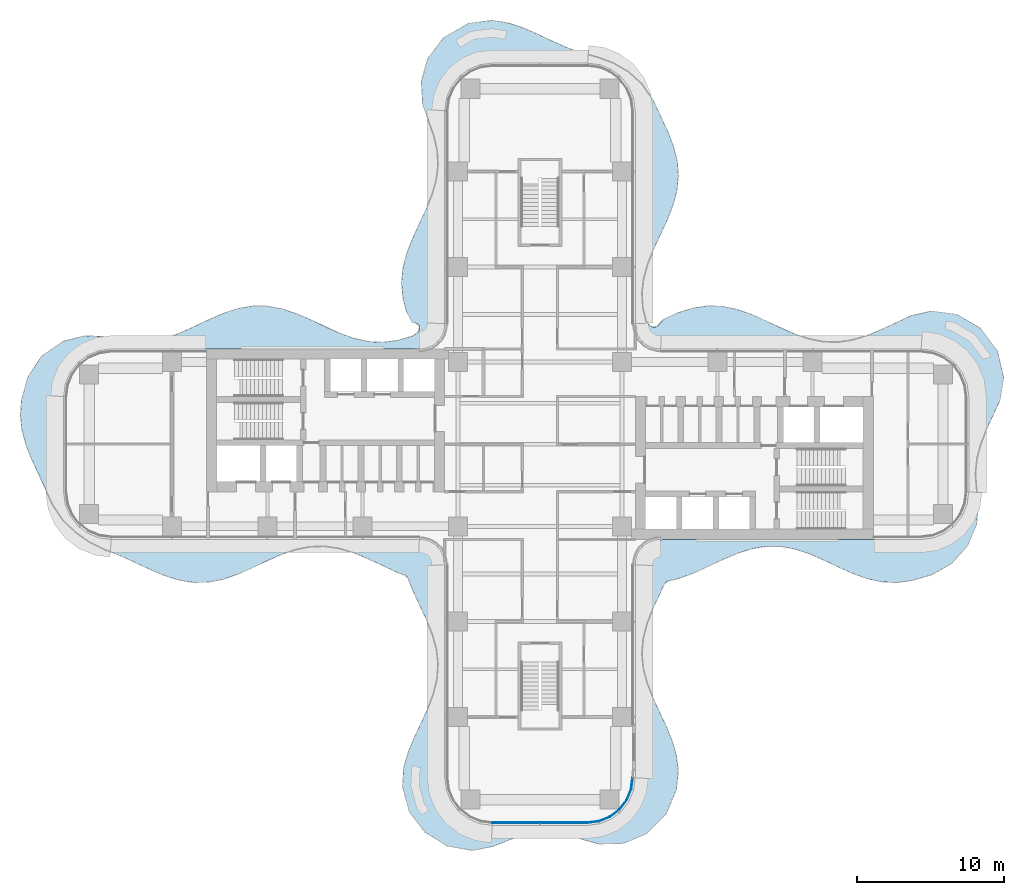
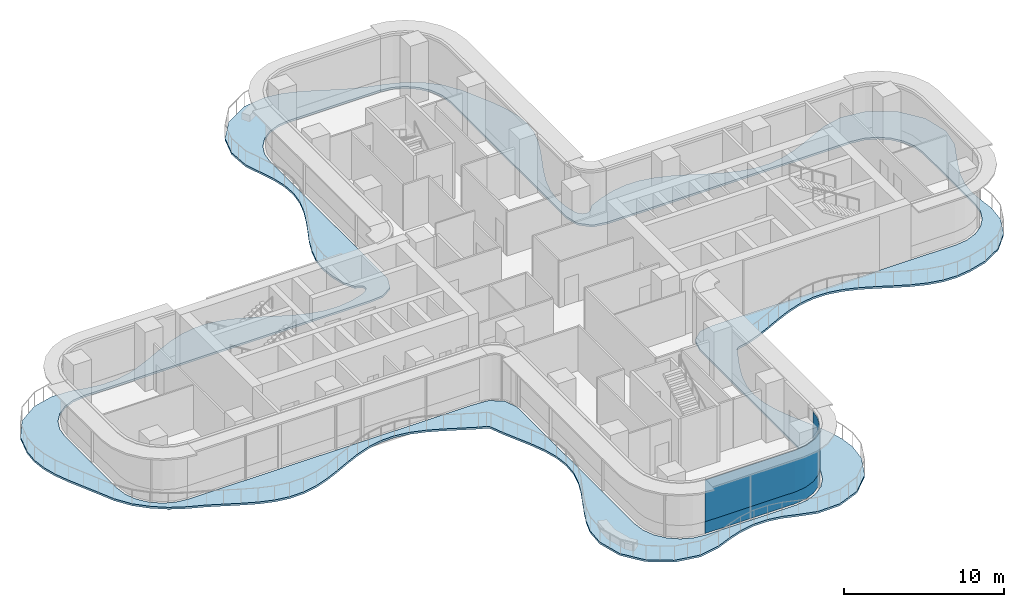
# One storey, part 13 of 21: 2 plates, 1 slab, 1 element without a shape of its own.
"""IFC4 building model written with IfcOpenShell, lengths in metres."""

from ifc_helpers import new_model, si_unit, direction, frame, origin, place, context, subcontext, project, spatial, polyline, outline, extrude, source, transform, mapped, material, layer, layer_set, type_object, element, aggregate, save


model = new_model("IFC4")

# Units and contexts
model_context = context("Model", 3, precision=1e-05, world=origin(), true_north=direction((0.0, 1.0)))
body_context = subcontext(model_context, "Body", "Model", "MODEL_VIEW")
ifc_project = project(units=[si_unit("LENGTHUNIT", "METRE"), si_unit("AREAUNIT", "SQUARE_METRE"), si_unit("VOLUMEUNIT", "CUBIC_METRE"), si_unit("PLANEANGLEUNIT", "RADIAN"), si_unit("MASSUNIT", "GRAM", prefix="KILO")], contexts=[model_context])

# Site, building, storey
site_placement = place(None, origin())
site = spatial("IfcSite", under=ifc_project, at=site_placement, CompositionType="ELEMENT")
building_placement = place(site_placement, origin())
building = spatial("IfcBuilding", under=site, at=building_placement, Name="Trellis Farm Tower", CompositionType="ELEMENT")
storey_placement = place(building_placement, frame((0.0, 0.0, 138.0)))
storey = spatial("IfcBuildingStorey", under=building, at=storey_placement, Name="L29", CompositionType="ELEMENT", Elevation=138.0)

# Slab
ifc_material_1 = material(Name="Concrete C40/50", Category="concrete")
ifc_layer_1 = layer(ifc_material_1, 0.14990234375)
ifc_layer_set_1 = layer_set([ifc_layer_1], Name="Balcony slab 150")
slab_type = type_object("IfcSlabType", Name="Balcony slab 150", PredefinedType="FLOOR", material=ifc_layer_set_1)
slab_placement = place(storey_placement, frame((0.0, 0.0, -0.14990234375)))
element("IfcSlab", 1, at=slab_placement, inside=storey, type_object=slab_type, Name="Balcony slab", PredefinedType="FLOOR", context=body_context, shape_type="SweptSolid", body=[
    extrude(outline(polyline([(-9.220947265625, -8.94482421875), (-9.6787109375, -8.7734375), (-9.689208984375, -8.76904296875), (-11.664306640625, -7.850830078125), (-11.66650390625, -7.849609375), (-12.649658203125, -7.43408203125), (-12.65673828125, -7.431396484375), (-13.68603515625, -7.11376953125), (-13.697265625, -7.111083984375), (-14.687255859375, -6.9638671875), (-14.700439453125, -6.963134765625), (-15.682861328125, -6.9921875), (-15.695556640625, -6.99365234375), (-16.674072265625, -7.1923828125), (-16.68359375, -7.195068359375), (-17.663818359375, -7.535400390625), (-17.66943359375, -7.53759765625), (-18.653564453125, -7.973388671875), (-18.655517578125, -7.974365234375), (-19.6474609375, -8.4462890625), (-19.6513671875, -8.447998046875), (-20.631103515625, -8.87939453125), (-20.64306640625, -8.8837890625), (-21.61962890625, -9.218017578125), (-21.639404296875, -9.22314453125), (-22.60986328125, -9.412353515625), (-22.635986328125, -9.4150390625), (-23.63623046875, -9.4326171875), (-23.6630859375, -9.4306640625), (-24.6328125, -9.272705078125), (-24.654052734375, -9.267578125), (-25.629150390625, -8.95849609375), (-25.642578125, -8.95361328125), (-26.6259765625, -8.534912109375), (-26.63037109375, -8.53271484375), (-28.607421875, -7.614990234375), (-28.61181640625, -7.613037109375), (-29.7099609375, -7.186767578125), (-29.72265625, -7.18115234375), (-30.7626953125, -6.66259765625), (-30.782470703125, -6.65087890625), (-31.69384765625, -6.00390625), (-31.711181640625, -5.989501953125), (-32.532470703125, -5.1953125), (-32.55224609375, -5.171630859375), (-33.2392578125, -4.158935546875), (-33.251953125, -4.135986328125), (-33.7607421875, -3.0), (-33.76123046875, -2.999267578125), (-34.68701171875, -1.005615234375), (-34.6904296875, -0.997314453125), (-35.083251953125, 0.001708984375), (-35.088623046875, 0.01806640625), (-35.3427734375, 0.9716796875), (-35.34716796875, 0.9951171875), (-35.44677734375, 1.96484375), (-35.447021484375, 1.991455078125), (-35.372314453125, 2.986083984375), (-35.367431640625, 3.013671875), (-34.95703125, 4.5361328125), (-34.9375, 4.57958984375), (-33.99072265625, 6.016357421875), (-33.972412109375, 6.0390625), (-33.9462890625, 6.065673828125), (-33.92333984375, 6.084716796875), (-32.546630859375, 7.012939453125), (-32.49951171875, 7.033935546875), (-31.0634765625, 7.39794921875), (-31.01953125, 7.40234375), (-29.757080078125, 7.34326171875), (-29.732177734375, 7.33984375), (-28.634521484375, 7.1015625), (-28.62890625, 7.1005859375), (-27.65966796875, 6.962890625), (-27.646240234375, 6.962158203125), (-26.602294921875, 7.001708984375), (-26.58935546875, 7.00341796875), (-25.611083984375, 7.214111328125), (-25.601806640625, 7.216796875), (-24.647216796875, 7.55615234375), (-24.6416015625, 7.558349609375), (-23.638916015625, 8.006103515625), (-23.63720703125, 8.0068359375), (-22.63720703125, 8.482177734375), (-22.632568359375, 8.484130859375), (-21.639404296875, 8.9150390625), (-21.626953125, 8.919921875), (-20.66552734375, 9.238525390625), (-20.645263671875, 9.24365234375), (-19.67529296875, 9.42041015625), (-19.648681640625, 9.4228515625), (-18.648193359375, 9.42626953125), (-18.621826171875, 9.424072265625), (-17.65185546875, 9.253662109375), (-17.631103515625, 9.248291015625), (-16.655517578125, 8.92919921875), (-16.642578125, 8.92431640625), (-15.664794921875, 8.502197265625), (-15.659912109375, 8.5), (-14.66015625, 8.025146484375), (-14.65869140625, 8.0244140625), (-13.65576171875, 7.57421875), (-13.650390625, 7.572021484375), (-12.695068359375, 7.22802734375), (-12.685791015625, 7.225341796875), (-11.70751953125, 7.008544921875), (-11.69482421875, 7.0068359375), (-10.71337890625, 6.95751953125), (-10.699951171875, 6.9580078125), (-9.710693359375, 7.085205078125), (-9.699462890625, 7.087646484375), (-8.7451171875, 7.364501953125), (-8.733154296875, 7.369384765625), (-8.638671875, 7.41552734375), (-8.627685546875, 7.422119140625), (-8.344970703125, 7.62646484375), (-8.32958984375, 7.641357421875), (-8.227783203125, 7.7734375), (-8.212646484375, 7.8125), (-8.200439453125, 7.968017578125), (-8.209228515625, 8.0087890625), (-8.283935546875, 8.145751953125), (-8.313720703125, 8.17529296875), (-8.460693359375, 8.254150390625), (-8.48095703125, 8.261474609375), (-8.650146484375, 8.29638671875), (-8.70947265625, 8.322998046875), (-8.711181640625, 8.324462890625), (-8.754150390625, 8.374267578125), (-9.106201171875, 9.034912109375), (-9.119384765625, 9.068359375), (-9.35693359375, 10.001220703125), (-9.361083984375, 10.02490234375), (-9.447509765625, 10.994384765625), (-9.447509765625, 11.021240234375), (-9.35888671875, 11.994140625), (-9.35498046875, 12.018310546875), (-9.1015625, 12.998779296875), (-9.09619140625, 13.015625), (-8.711669921875, 14.00439453125), (-8.707763671875, 14.013671875), (-7.781982421875, 15.998046875), (-7.780517578125, 16.00146484375), (-7.365966796875, 17.018798828125), (-7.36328125, 17.026611328125), (-7.07958984375, 18.02294921875), (-7.0771484375, 18.0341796875), (-6.95654296875, 19.023193359375), (-6.9560546875, 19.03662109375), (-7.01220703125, 20.01806640625), (-7.013916015625, 20.0302734375), (-7.22412109375, 20.9658203125), (-7.2265625, 20.974365234375), (-7.997802734375, 23.167724609375), (-8.005859375, 23.20849609375), (-8.09716796875, 24.7216796875), (-8.092041015625, 24.770263671875), (-7.69287109375, 26.239501953125), (-7.6826171875, 26.2666015625), (-7.666015625, 26.300048828125), (-7.650634765625, 26.32470703125), (-6.592041015625, 27.71044921875), (-6.57177734375, 27.732177734375), (-6.542724609375, 27.757568359375), (-6.5185546875, 27.77490234375), (-4.93359375, 28.68359375), (-4.906494140625, 28.695556640625), (-4.870361328125, 28.707763671875), (-4.841796875, 28.71435546875), (-3.275634765625, 28.913818359375), (-3.232666015625, 28.9130859375), (-2.122314453125, 28.73291015625), (-2.098388671875, 28.72705078125), (-1.125732421875, 28.399169921875), (-1.113525390625, 28.39453125), (-0.134521484375, 27.966064453125), (-0.130126953125, 27.964111328125), (0.870361328125, 27.488525390625), (0.8720703125, 27.48779296875), (1.874755859375, 27.04248046875), (1.88037109375, 27.040283203125), (2.87060546875, 26.69384765625), (2.87548828125, 26.6923828125), (3.929931640625, 26.40478515625), (3.942626953125, 26.400634765625), (4.977783203125, 26.016357421875), (5.00048828125, 26.005859375), (6.02197265625, 25.41748046875), (6.04736328125, 25.39892578125), (6.940673828125, 24.595458984375), (6.964111328125, 24.568603515625), (7.73876953125, 23.436279296875), (7.7509765625, 23.414794921875), (8.752685546875, 21.26220703125), (8.757080078125, 21.251953125), (9.127197265625, 20.2734375), (9.132568359375, 20.255859375), (9.3701171875, 19.283935546875), (9.373779296875, 19.259521484375), (9.447021484375, 18.290283203125), (9.446533203125, 18.26318359375), (9.33984375, 17.2626953125), (9.335205078125, 17.239013671875), (9.0693359375, 16.26611328125), (9.06396484375, 16.250244140625), (8.673583984375, 15.27001953125), (8.670166015625, 15.261962890625), (7.747802734375, 13.287353515625), (7.746337890625, 13.28369140625), (7.351318359375, 12.3017578125), (7.3486328125, 12.293701171875), (7.063720703125, 11.26123046875), (7.0615234375, 11.249755859375), (6.9560546875, 10.323974609375), (6.95556640625, 10.310791015625), (7.01513671875, 9.32568359375), (7.01708984375, 9.31298828125), (7.2255859375, 8.428955078125), (7.23388671875, 8.408203125), (7.326416015625, 8.251708984375), (7.340087890625, 8.234619140625), (7.517578125, 8.072021484375), (7.537353515625, 8.05908203125), (7.703857421875, 7.98388671875), (7.749267578125, 7.97900390625), (7.927978515625, 8.017333984375), (7.949951171875, 8.02587890625), (8.03515625, 8.07568359375), (8.04638671875, 8.083740234375), (8.133544921875, 8.159423828125), (8.143310546875, 8.169677734375), (8.408203125, 8.50439453125), (8.434326171875, 8.5302734375), (8.471435546875, 8.55859375), (8.50341796875, 8.577392578125), (9.420654296875, 8.973876953125), (9.435546875, 8.9794921875), (10.392822265625, 9.27685546875), (10.414306640625, 9.281982421875), (11.38427734375, 9.433349609375), (11.41064453125, 9.435302734375), (12.381591796875, 9.414306640625), (12.4072265625, 9.411376953125), (13.384521484375, 9.21875), (13.404541015625, 9.21337890625), (14.390380859375, 8.873779296875), (14.402099609375, 8.869384765625), (15.39599609375, 8.429931640625), (15.39990234375, 8.42822265625), (16.400634765625, 7.952392578125), (16.402587890625, 7.951416015625), (17.377197265625, 7.5224609375), (17.383056640625, 7.52001953125), (18.363037109375, 7.184326171875), (18.372802734375, 7.181640625), (19.351318359375, 6.9892578125), (19.364013671875, 6.98779296875), (20.3466796875, 6.965576171875), (20.360107421875, 6.96630859375), (21.350341796875, 7.120361328125), (21.361328125, 7.122802734375), (22.3583984375, 7.43408203125), (22.365478515625, 7.4365234375), (23.38037109375, 7.8671875), (23.382568359375, 7.8681640625), (25.337646484375, 8.77587890625), (25.367919921875, 8.7861328125), (26.66650390625, 9.078125), (26.69287109375, 9.081787109375), (26.726806640625, 9.0830078125), (26.7529296875, 9.08203125), (28.372314453125, 8.867431640625), (28.40087890625, 8.860595703125), (28.437255859375, 8.848388671875), (28.46435546875, 8.8359375), (30.0146484375, 7.93310546875), (30.0390625, 7.91552734375), (30.068115234375, 7.8896484375), (30.08837890625, 7.867431640625), (31.18505859375, 6.39990234375), (31.200927734375, 6.373291015625), (31.218017578125, 6.3369140625), (31.22802734375, 6.307373046875), (31.62939453125, 4.567138671875), (31.633056640625, 4.5380859375), (31.63427734375, 4.50048828125), (31.632080078125, 4.470703125), (31.38330078125, 3.0078125), (31.37158203125, 2.97021484375), (30.4560546875, 0.989013671875), (30.454345703125, 0.985107421875), (30.0751953125, 0.022705078125), (30.072509765625, 0.0146484375), (29.809326171875, -0.9638671875), (29.80712890625, -0.975830078125), (29.70361328125, -2.0185546875), (29.703369140625, -2.03173828125), (29.779296875, -2.987548828125), (29.779541015625, -2.989990234375), (29.91064453125, -4.148681640625), (29.910888671875, -4.1796875), (29.790283203125, -5.450927734375), (29.779296875, -5.4951171875), (29.1884765625, -6.892578125), (29.162109375, -6.93408203125), (28.106201171875, -8.11767578125), (28.068603515625, -8.148193359375), (26.7236328125, -8.913818359375), (26.690185546875, -8.927978515625), (25.3896484375, -9.2958984375), (25.369873046875, -9.30029296875), (24.400634765625, -9.4384765625), (24.3740234375, -9.439697265625), (23.40283203125, -9.4052734375), (23.37744140625, -9.402099609375), (22.3994140625, -9.197021484375), (22.380126953125, -9.191650390625), (21.3935546875, -8.842529296875), (21.38232421875, -8.838134765625), (20.387939453125, -8.393310546875), (20.384765625, -8.39208984375), (19.38330078125, -7.916259765625), (19.381103515625, -7.915283203125), (18.408203125, -7.4921875), (18.402099609375, -7.489990234375), (17.42236328125, -7.163818359375), (17.412353515625, -7.1611328125), (16.43359375, -6.981201171875), (16.420654296875, -6.97998046875), (15.4375, -6.97119140625), (15.424560546875, -6.97216796875), (14.433349609375, -7.13916015625), (14.4228515625, -7.141845703125), (13.425048828125, -7.463623046875), (13.41845703125, -7.466064453125), (12.41650390625, -7.897216796875), (12.4140625, -7.898193359375), (11.415771484375, -8.372314453125), (11.412841796875, -8.37353515625), (10.42724609375, -8.817138671875), (10.41650390625, -8.821533203125), (9.437744140625, -9.174560546875), (9.420166015625, -9.1796875), (8.740234375, -9.334716796875), (8.724365234375, -9.34033203125), (8.60546875, -9.397705078125), (8.57958984375, -9.418701171875), (8.497802734375, -9.522216796875), (8.489013671875, -9.536865234375), (7.68115234375, -11.2705078125), (7.67919921875, -11.275146484375), (7.2998046875, -12.256103515625), (7.296875, -12.264892578125), (7.03564453125, -13.299072265625), (7.03369140625, -13.311279296875), (6.95361328125, -14.29833984375), (6.95361328125, -14.311767578125), (7.050048828125, -15.2919921875), (7.052001953125, -15.3037109375), (7.3095703125, -16.2822265625), (7.312255859375, -16.290283203125), (7.69580078125, -17.271728515625), (7.69775390625, -17.276123046875), (8.619384765625, -19.25048828125), (8.622314453125, -19.257080078125), (9.02392578125, -20.23876953125), (9.029296875, -20.253662109375), (9.3115234375, -21.227294921875), (9.31640625, -21.25048828125), (9.441650390625, -22.25146484375), (9.442138671875, -22.285400390625), (9.3095703125, -23.56884765625), (9.298095703125, -23.613037109375), (8.584716796875, -25.264404296875), (8.5703125, -25.2900390625), (8.54931640625, -25.3203125), (8.531005859375, -25.34228515625), (7.287841796875, -26.5595703125), (7.264892578125, -26.577880859375), (7.2333984375, -26.598388671875), (7.20751953125, -26.612060546875), (5.693359375, -27.226318359375), (5.667724609375, -27.23388671875), (5.6337890625, -27.2412109375), (5.606689453125, -27.244140625), (4.065185546875, -27.27880859375), (4.02197265625, -27.2734375), (2.867431640625, -26.956787109375), (2.86181640625, -26.955078125), (1.843994140625, -26.632080078125), (1.833740234375, -26.629638671875), (0.904052734375, -26.473876953125), (0.891357421875, -26.472900390625), (-0.092529296875, -26.477783203125), (-0.105712890625, -26.47900390625), (-1.14453125, -26.67138671875), (-1.15478515625, -26.674072265625), (-2.132080078125, -27.003662109375), (-2.13671875, -27.00537109375), (-3.177001953125, -27.432861328125), (-3.20458984375, -27.441162109375), (-4.571533203125, -27.713623046875), (-4.599609375, -27.716552734375), (-4.636474609375, -27.716796875), (-4.66455078125, -27.71435546875), (-6.2841796875, -27.418212890625), (-6.311279296875, -27.41064453125), (-6.345458984375, -27.3974609375), (-6.37060546875, -27.385009765625), (-7.845947265625, -26.468017578125), (-7.867919921875, -26.451416015625), (-7.894287109375, -26.427001953125), (-7.9130859375, -26.40673828125), (-8.900390625, -25.09814453125), (-8.91552734375, -25.073486328125), (-8.93212890625, -25.039794921875), (-8.942138671875, -25.0126953125), (-9.375732421875, -23.37890625), (-9.38037109375, -23.33056640625), (-9.295654296875, -22.02587890625), (-9.28955078125, -21.9921875), (-8.9873046875, -20.99169921875), (-8.982177734375, -20.976806640625), (-8.570068359375, -19.994384765625), (-8.567626953125, -19.9892578125), (-7.6484375, -18.014892578125), (-7.646484375, -18.010009765625), (-7.27490234375, -17.029296875), (-7.272216796875, -17.020263671875), (-7.02294921875, -15.985107421875), (-7.02099609375, -15.97265625), (-6.95458984375, -14.986328125), (-6.955078125, -14.972900390625), (-7.064453125, -13.9931640625), (-7.066650390625, -13.981689453125), (-7.33544921875, -13.0029296875), (-7.337890625, -12.9951171875), (-7.7294921875, -12.01318359375), (-7.731201171875, -12.00927734375), (-8.6533203125, -10.034912109375), (-8.656494140625, -10.02734375), (-9.00830078125, -9.152099609375), (-9.015625, -9.138427734375), (-9.0830078125, -9.0380859375), (-9.104736328125, -9.0166015625), (-9.20703125, -8.951904296875), (-9.220947265625, -8.94482421875)]), holes=[polyline([(-7.642578125, -6.6201171875), (-6.938232421875, -7.076171875), (-6.903564453125, -7.107177734375), (-6.8671875, -7.151611328125), (-6.84375, -7.191650390625), (-6.529541015625, -7.9912109375), (-6.52197265625, -8.01708984375), (-6.51513671875, -8.0517578125), (-6.512451171875, -8.07861328125), (-6.50048828125, -8.98486328125), (-6.50048828125, -22.75), (-6.389892578125, -23.59130859375), (-6.065185546875, -24.375244140625), (-5.548583984375, -25.048583984375), (-4.875244140625, -25.565185546875), (-4.09130859375, -25.889892578125), (-3.25, -26.00048828125), (3.25, -26.00048828125), (4.09130859375, -25.889892578125), (4.875244140625, -25.565185546875), (5.548583984375, -25.048583984375), (6.065185546875, -24.375244140625), (6.389892578125, -23.59130859375), (6.50048828125, -22.75), (6.50048828125, -8.326416015625), (6.504150390625, -8.29638671875), (6.718017578125, -7.40869140625), (6.734375, -7.367919921875), (6.761474609375, -7.32177734375), (6.78857421875, -7.2880859375), (7.39697265625, -6.719970703125), (7.432373046875, -6.6953125), (7.48046875, -6.67138671875), (7.521728515625, -6.657958984375), (8.4248046875, -6.502197265625), (8.443115234375, -6.50048828125), (26.0, -6.50048828125), (26.84130859375, -6.389892578125), (27.625244140625, -6.065185546875), (28.298583984375, -5.548583984375), (28.815185546875, -4.875244140625), (29.139892578125, -4.09130859375), (29.25048828125, -3.25), (29.25048828125, 3.25), (29.139892578125, 4.09130859375), (28.815185546875, 4.875244140625), (28.298583984375, 5.548583984375), (27.625244140625, 6.065185546875), (26.84130859375, 6.389892578125), (26.0, 6.50048828125), (8.443115234375, 6.50048828125), (8.4248046875, 6.502197265625), (7.521728515625, 6.657958984375), (7.48046875, 6.67138671875), (7.432373046875, 6.6953125), (7.39697265625, 6.719970703125), (6.78857421875, 7.2880859375), (6.761474609375, 7.32177734375), (6.734375, 7.367919921875), (6.718017578125, 7.40869140625), (6.504150390625, 8.29638671875), (6.50048828125, 8.326416015625), (6.50048828125, 22.75), (6.389892578125, 23.59130859375), (6.065185546875, 24.375244140625), (5.548583984375, 25.048583984375), (4.875244140625, 25.565185546875), (4.09130859375, 25.889892578125), (3.25, 26.00048828125), (-3.25, 26.00048828125), (-4.09130859375, 25.889892578125), (-4.875244140625, 25.565185546875), (-5.548583984375, 25.048583984375), (-6.065185546875, 24.375244140625), (-6.389892578125, 23.59130859375), (-6.50048828125, 22.75), (-6.50048828125, 8.98486328125), (-6.512451171875, 8.07861328125), (-6.51513671875, 8.0517578125), (-6.52197265625, 8.01708984375), (-6.529541015625, 7.9912109375), (-6.84375, 7.191650390625), (-6.8671875, 7.151611328125), (-6.903564453125, 7.107177734375), (-6.938232421875, 7.076171875), (-7.642578125, 6.6201171875), (-7.67529296875, 6.604248046875), (-7.718994140625, 6.589111328125), (-7.7548828125, 6.58154296875), (-8.682373046875, 6.50048828125), (-29.25, 6.50048828125), (-30.09130859375, 6.389892578125), (-30.875244140625, 6.065185546875), (-31.548583984375, 5.548583984375), (-32.065185546875, 4.875244140625), (-32.389892578125, 4.09130859375), (-32.50048828125, 3.25), (-32.50048828125, -3.25), (-32.389892578125, -4.09130859375), (-32.065185546875, -4.875244140625), (-31.548583984375, -5.548583984375), (-30.875244140625, -6.065185546875), (-30.09130859375, -6.389892578125), (-29.25, -6.50048828125), (-8.682373046875, -6.50048828125), (-7.7548828125, -6.58154296875), (-7.718994140625, -6.589111328125), (-7.67529296875, -6.604248046875), (-7.642578125, -6.6201171875)])]), origin(), (0.0, 0.0, 1.0), 0.14990234375),
])

# Curtain wall, plates
ifc_material_2 = material(Name="Aluminium and glass curtain wall", Category="aluminium")
ifc_layer_2 = layer(ifc_material_2, 0.18994140625)
ifc_layer_set_2 = layer_set([ifc_layer_2], Name="RIBBON CURTAIN WALL CW1")
curtain_wall_type = type_object("IfcCurtainWallType", Name="RIBBON CURTAIN WALL CW1", PredefinedType="NOTDEFINED", material=ifc_layer_set_2)
placement = place(storey_placement, origin())
curtain_wall = element("IfcCurtainWall", 2, at=placement, inside=storey, type_object=curtain_wall_type, Name="CW1 003", PredefinedType="NOTDEFINED")
ifc_material_3 = material(Name="Clear insulated glass", Category="glass")
ifc_layer_3 = layer(ifc_material_3, 0.0400390625)
ifc_layer_set_3 = layer_set([ifc_layer_3], Name="CW1 GLASS PANEL 40")
plate_type_1 = type_object("IfcPlateType", Name="CW1 GLASS PANEL 40", PredefinedType="CURTAIN_PANEL", material=ifc_layer_set_3)
shared_shape_1 = source(origin(), body_context, "Body", "SweptSolid", [
    extrude(outline(polyline([(-3.240234375, -25.85009765625), (3.240234375, -25.85009765625), (4.052001953125, -25.7431640625), (4.79931640625, -25.43359375), (5.441162109375, -24.941162109375), (5.93359375, -24.29931640625), (6.2431640625, -23.552001953125), (6.35009765625, -22.740234375), (6.31005859375, -22.737548828125), (6.2041015625, -23.54150390625), (5.898681640625, -24.279296875), (5.41259765625, -24.91259765625), (4.779296875, -25.398681640625), (4.04150390625, -25.7041015625), (3.237548828125, -25.81005859375), (-3.237548828125, -25.81005859375), (-3.240234375, -25.85009765625)])), origin(), (0.0, 0.0, 1.0), 3.170166015625),
])
plate_1_placement = place(storey_placement, frame((0.0, 0.0, 0.89990234375)))
plate_1 = element("IfcPlate", 3, at=plate_1_placement, type_object=plate_type_1, Name="PL1 003", PredefinedType="CURTAIN_PANEL", context=body_context, shape_type="MappedRepresentation", body=[
    mapped(shared_shape_1, transform((0.0, 0.0, 0.0))),
])
ifc_material_4 = material(Name="Sandstone faced insulated panel", Category="masonry")
ifc_layer_4 = layer(ifc_material_4, 0.050048828125)
ifc_layer_set_4 = layer_set([ifc_layer_4], Name="CW1 STONE SPANDREL PANEL 50")
plate_type_2 = type_object("IfcPlateType", Name="CW1 STONE SPANDREL PANEL 50", PredefinedType="CURTAIN_PANEL", material=ifc_layer_set_4)
shared_shape_2 = source(origin(), body_context, "Body", "SweptSolid", [
    extrude(outline(polyline([(-3.240234375, -25.85009765625), (3.240234375, -25.85009765625), (4.052001953125, -25.7431640625), (4.79931640625, -25.43359375), (5.441162109375, -24.941162109375), (5.93359375, -24.29931640625), (6.2431640625, -23.552001953125), (6.35009765625, -22.740234375), (6.300048828125, -22.73681640625), (6.1943359375, -23.5390625), (5.889892578125, -24.274169921875), (5.405517578125, -24.905517578125), (4.774169921875, -25.389892578125), (4.0390625, -25.6943359375), (3.23681640625, -25.800048828125), (-3.23681640625, -25.800048828125), (-3.240234375, -25.85009765625)])), origin(), (0.0, 0.0, 1.0), 0.89990234375),
])
plate_2 = element("IfcPlate", 4, at=placement, type_object=plate_type_2, Name="PS1 003", PredefinedType="CURTAIN_PANEL", context=body_context, shape_type="MappedRepresentation", body=[
    mapped(shared_shape_2, transform((0.0, 0.0, 0.0))),
])
aggregate(curtain_wall, [plate_1, plate_2])

save(model, "model.ifc")
